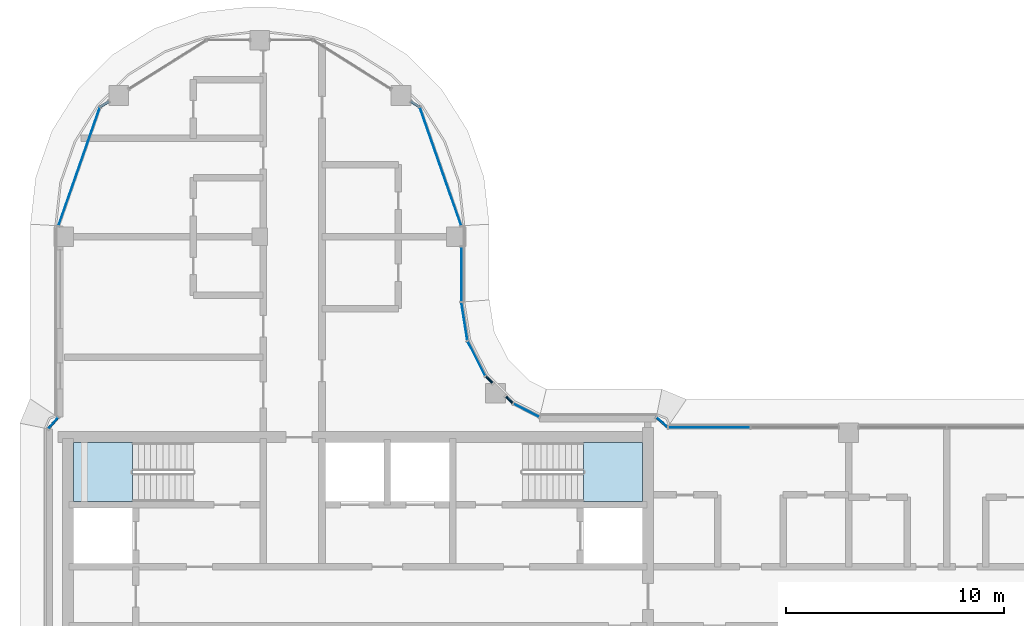
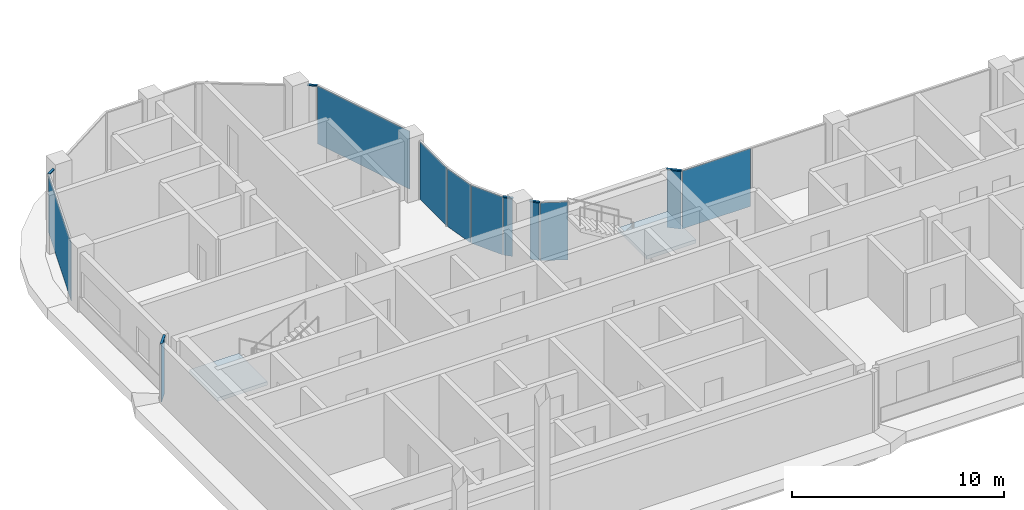
# One storey, part 7 of 20: 11 plates, 6 members, 2 slabs, 10 elements without a shape of their own.
"""IFC4 building model written with IfcOpenShell, lengths in metres."""

from ifc_helpers import new_model, si_unit, direction, frame, origin, origin_2d, place, context, subcontext, project, spatial, polyline, rectangle, outline, extrude, material, layer, layer_set, material_profile, profile_set, type_object, element, aggregate, save


model = new_model("IFC4")

# Units and contexts
model_context = context("Model", 3, precision=1e-05, world=origin(), true_north=direction((0.0, 1.0)))
body_context = subcontext(model_context, "Body", "Model", "MODEL_VIEW")
ifc_project = project(units=[si_unit("LENGTHUNIT", "METRE"), si_unit("AREAUNIT", "SQUARE_METRE"), si_unit("VOLUMEUNIT", "CUBIC_METRE"), si_unit("PLANEANGLEUNIT", "RADIAN"), si_unit("MASSUNIT", "GRAM", prefix="KILO")], contexts=[model_context])

# Site, building, storey
site_placement = place(None, origin())
site = spatial("IfcSite", under=ifc_project, at=site_placement, CompositionType="ELEMENT")
building_placement = place(site_placement, origin())
building = spatial("IfcBuilding", under=site, at=building_placement, Name="Ogive Portal Towers", CompositionType="ELEMENT")
storey_placement = place(building_placement, frame((0.0, 0.0, 214.300048828125)))
storey = spatial("IfcBuildingStorey", under=building, at=storey_placement, Name="L53", CompositionType="ELEMENT", Elevation=214.300048828125)

# Curtain wall, member
ifc_material_1 = material(Name="Glass, clear low-iron insulated glazing", Category="glass")
curtain_wall_type = type_object("IfcCurtainWallType", Name="CW FRONT RIBBON 4500", PredefinedType="NOTDEFINED", material=ifc_material_1)
curtain_wall_1_placement = place(storey_placement, origin())
curtain_wall_1 = element("IfcCurtainWall", 1, at=curtain_wall_1_placement, inside=storey, type_object=curtain_wall_type, Name="A:L53:f00:cwa", PredefinedType="NOTDEFINED")
ifc_material_2 = material(Name="Aluminium 6063 anodised", Category="aluminium")
ifc_material_profile = material_profile(ifc_material_2, rectangle(XDim=0.1201171875, YDim=0.06005859375, at=origin_2d()), Name="AL 120x60")
ifc_profile_set = profile_set([ifc_material_profile], Name="Aluminium 6063 anodised")
member_type = type_object("IfcMemberType", Name="CW TRANSOM 60x120", PredefinedType="USERDEFINED", material=ifc_profile_set)
member_1_placement = place(storey_placement, frame((59.22021484375, 39.739990234375, 3.369873046875), z_axis=(-0.753611342808, 0.657320275049, 0.0), x_axis=(-0.657320275049, -0.753611342808, 0.0)))
member_1 = element("IfcMember", 2, at=member_1_placement, type_object=member_type, Name="transom", ObjectType="TRANSOM", PredefinedType="USERDEFINED", context=body_context, shape_type="SweptSolid", body=[
    extrude(rectangle(XDim=0.1201171875, YDim=0.06005859375, at=origin_2d()), origin(), (0.0, 0.0, 1.0), 0.730224609375),
])

curtain_wall_2_placement = place(storey_placement, origin())
curtain_wall_2 = element("IfcCurtainWall", 3, at=curtain_wall_2_placement, inside=storey, type_object=curtain_wall_type, Name="A:L53:f02:cwa~0", PredefinedType="NOTDEFINED")
member_2_placement = place(storey_placement, frame((52.11376953125, 40.83935546875, 3.369873046875), z_axis=(-0.707106781187, 0.707106781187, 0.0), x_axis=(-0.707106781187, -0.707106781187, 0.0)))
member_2 = element("IfcMember", 4, at=member_2_placement, type_object=member_type, Name="transom", ObjectType="TRANSOM", PredefinedType="USERDEFINED", context=body_context, shape_type="SweptSolid", body=[
    extrude(rectangle(XDim=0.1201171875, YDim=0.06005859375, at=origin_2d()), origin(), (0.0, 0.0, 1.0), 0.500244140625),
])

curtain_wall_3_placement = place(storey_placement, origin())
curtain_wall_3 = element("IfcCurtainWall", 5, at=curtain_wall_3_placement, inside=storey, type_object=curtain_wall_type, Name="A:L53:f02:cwa~1", PredefinedType="NOTDEFINED")
member_3_placement = place(storey_placement, frame((51.193115234375, 41.760009765625, 3.369873046875), z_axis=(-0.707106781187, 0.707106781187, 0.0), x_axis=(-0.707106781187, -0.707106781187, 0.0)))
member_3 = element("IfcMember", 6, at=member_3_placement, type_object=member_type, Name="transom", ObjectType="TRANSOM", PredefinedType="USERDEFINED", context=body_context, shape_type="SweptSolid", body=[
    extrude(rectangle(XDim=0.1201171875, YDim=0.06005859375, at=origin_2d()), origin(), (0.0, 0.0, 1.0), 0.500244140625),
])

curtain_wall_4_placement = place(storey_placement, origin())
curtain_wall_4 = element("IfcCurtainWall", 7, at=curtain_wall_4_placement, inside=storey, type_object=curtain_wall_type, Name="A:L53:f07:cwa~0", PredefinedType="NOTDEFINED")
member_4_placement = place(storey_placement, frame((47.82958984375, 54.4462890625, 3.369873046875), z_axis=(-0.846767460027, 0.531963221134, 0.0), x_axis=(-0.531963221134, -0.846767460027, 0.0)))
member_4 = element("IfcMember", 8, at=member_4_placement, type_object=member_type, Name="transom", ObjectType="TRANSOM", PredefinedType="USERDEFINED", context=body_context, shape_type="SweptSolid", body=[
    extrude(rectangle(XDim=0.1201171875, YDim=0.06005859375, at=origin_2d()), origin(), (0.0, 0.0, 1.0), 0.47998046875),
])

curtain_wall_5_placement = place(storey_placement, origin())
curtain_wall_5 = element("IfcCurtainWall", 9, at=curtain_wall_5_placement, inside=storey, type_object=curtain_wall_type, Name="A:L53:f07:cwa~3", PredefinedType="NOTDEFINED")
member_5_placement = place(storey_placement, frame((33.576904296875, 54.70166015625, 3.369873046875), z_axis=(-0.846767460027, -0.531963221134, 0.0), x_axis=(0.531963221134, -0.846767460027, 0.0)))
member_5 = element("IfcMember", 10, at=member_5_placement, type_object=member_type, Name="transom", ObjectType="TRANSOM", PredefinedType="USERDEFINED", context=body_context, shape_type="SweptSolid", body=[
    extrude(rectangle(XDim=0.1201171875, YDim=0.06005859375, at=origin_2d()), origin(), (0.0, 0.0, 1.0), 0.47998046875),
])

curtain_wall_6_placement = place(storey_placement, origin())
curtain_wall_6 = element("IfcCurtainWall", 11, at=curtain_wall_6_placement, inside=storey, type_object=curtain_wall_type, Name="A:L53:f13:cwa", PredefinedType="NOTDEFINED")
member_6_placement = place(storey_placement, frame((31.260009765625, 40.22021484375, 3.369873046875), z_axis=(-0.657320275049, -0.753611342808, 0.0), x_axis=(0.753611342808, -0.657320275049, 0.0)))
member_6 = element("IfcMember", 12, at=member_6_placement, type_object=member_type, Name="transom", ObjectType="TRANSOM", PredefinedType="USERDEFINED", context=body_context, shape_type="SweptSolid", body=[
    extrude(rectangle(XDim=0.1201171875, YDim=0.06005859375, at=origin_2d()), origin(), (0.0, 0.0, 1.0), 0.730224609375),
])

# Curtain wall, plate
curtain_wall_7_placement = place(storey_placement, origin())
curtain_wall_7 = element("IfcCurtainWall", 13, at=curtain_wall_7_placement, inside=storey, type_object=curtain_wall_type, Name="A:L53:f06:cw0", PredefinedType="NOTDEFINED")
ifc_layer_1 = layer(ifc_material_1, 0.028076171875)
ifc_layer_set_1 = layer_set([ifc_layer_1], Name="CW PANEL IGU 28")
plate_type = type_object("IfcPlateType", Name="CW PANEL IGU 28", PredefinedType="CURTAIN_PANEL", material=ifc_layer_set_1)
plate_1_placement = place(storey_placement, frame((49.739990234375, 46.77197265625, 0.0), z_axis=(0.0, 0.0, 1.0), x_axis=(0.0, 1.0, 0.0)))
plate_1 = element("IfcPlate", 14, at=plate_1_placement, type_object=plate_type, Name="panel", PredefinedType="CURTAIN_PANEL", context=body_context, shape_type="SweptSolid", body=[
    extrude(rectangle(XDim=2.496337890625, YDim=0.028076171875, at=origin_2d()), origin(), (0.0, 0.0, 1.0), 3.340087890625),
])
aggregate(curtain_wall_7, [plate_1])

curtain_wall_8_placement = place(storey_placement, origin())
curtain_wall_8 = element("IfcCurtainWall", 15, at=curtain_wall_8_placement, inside=storey, type_object=curtain_wall_type, Name="A:L53:f26:cw0~3", PredefinedType="NOTDEFINED")
plate_2_placement = place(storey_placement, frame((61.110107421875, 39.739990234375, 0.0), z_axis=(0.0, 0.0, 1.0), x_axis=(-1.0, 0.0, 0.0)))
plate_2 = element("IfcPlate", 16, at=plate_2_placement, type_object=plate_type, Name="panel", PredefinedType="CURTAIN_PANEL", context=body_context, shape_type="SweptSolid", body=[
    extrude(rectangle(XDim=3.7197265625, YDim=0.028076171875, at=origin_2d()), origin(), (0.0, 0.0, 1.0), 3.340087890625),
])
aggregate(curtain_wall_8, [plate_2])

# Plate
plate_3_placement = place(storey_placement, frame((58.945068359375, 39.97998046875, 0.0), z_axis=(0.0, 0.0, 1.0), x_axis=(-0.753598923768, 0.657334513087, 0.0)))
plate_3 = element("IfcPlate", 17, at=plate_3_placement, type_object=plate_type, Name="panel", PredefinedType="CURTAIN_PANEL", context=body_context, shape_type="SweptSolid", body=[
    extrude(rectangle(XDim=0.670166015625, YDim=0.028076171875, at=origin_2d()), origin(), (0.0, 0.0, 1.0), 3.340087890625),
])

aggregate(curtain_wall_1, [member_1, plate_3])

plate_4_placement = place(storey_placement, frame((52.721435546875, 40.529541015625, 0.0), z_axis=(0.0, 0.0, 1.0), x_axis=(-0.891006524188, 0.45399049974, 0.0)))
plate_4 = element("IfcPlate", 18, at=plate_4_placement, type_object=plate_type, Name="panel", PredefinedType="CURTAIN_PANEL", context=body_context, shape_type="SweptSolid", body=[
    extrude(rectangle(XDim=1.303955078125, YDim=0.028076171875, at=origin_2d()), origin(), (0.0, 0.0, 1.0), 3.340087890625),
])

plate_5_placement = place(storey_placement, frame((51.936767578125, 41.01611328125, 0.0), z_axis=(0.0, 0.0, 1.0), x_axis=(-0.707106781187, 0.707106781187, 0.0)))
plate_5 = element("IfcPlate", 19, at=plate_5_placement, type_object=plate_type, Name="panel", PredefinedType="CURTAIN_PANEL", context=body_context, shape_type="SweptSolid", body=[
    extrude(rectangle(XDim=0.440185546875, YDim=0.028076171875, at=origin_2d()), origin(), (0.0, 0.0, 1.0), 3.340087890625),
])

aggregate(curtain_wall_2, [member_2, plate_4, plate_5])

plate_6_placement = place(storey_placement, frame((51.01611328125, 41.936767578125, 0.0), z_axis=(0.0, 0.0, 1.0), x_axis=(-0.707106781187, 0.707106781187, 0.0)))
plate_6 = element("IfcPlate", 20, at=plate_6_placement, type_object=plate_type, Name="panel", PredefinedType="CURTAIN_PANEL", context=body_context, shape_type="SweptSolid", body=[
    extrude(rectangle(XDim=0.440185546875, YDim=0.028076171875, at=origin_2d()), origin(), (0.0, 0.0, 1.0), 3.340087890625),
])

plate_7_placement = place(storey_placement, frame((50.43017578125, 42.916748046875, 0.0), z_axis=(0.0, 0.0, 1.0), x_axis=(-0.45399049974, 0.891006524188, 0.0)))
plate_7 = element("IfcPlate", 21, at=plate_7_placement, type_object=plate_type, Name="panel", PredefinedType="CURTAIN_PANEL", context=body_context, shape_type="SweptSolid", body=[
    extrude(rectangle(XDim=1.742431640625, YDim=0.028076171875, at=origin_2d()), origin(), (0.0, 0.0, 1.0), 3.340087890625),
])

plate_8_placement = place(storey_placement, frame((49.88037109375, 44.606689453125, 0.0), z_axis=(0.0, 0.0, 1.0), x_axis=(-0.15643446504, 0.987688340595, 0.0)))
plate_8 = element("IfcPlate", 22, at=plate_8_placement, type_object=plate_type, Name="panel", PredefinedType="CURTAIN_PANEL", context=body_context, shape_type="SweptSolid", body=[
    extrude(rectangle(XDim=1.736083984375, YDim=0.028076171875, at=origin_2d()), origin(), (0.0, 0.0, 1.0), 3.340087890625),
])

aggregate(curtain_wall_3, [member_3, plate_6, plate_7, plate_8])

plate_9_placement = place(storey_placement, frame((48.78466796875, 51.71630859375, 0.0), z_axis=(0.0, 0.0, 1.0), x_axis=(-0.33027906196, 0.943883330307, 0.0)))
plate_9 = element("IfcPlate", 23, at=plate_9_placement, type_object=plate_type, Name="panel", PredefinedType="CURTAIN_PANEL", context=body_context, shape_type="SweptSolid", body=[
    extrude(rectangle(XDim=5.724609375, YDim=0.028076171875, at=origin_2d()), origin(), (0.0, 0.0, 1.0), 3.340087890625),
])

aggregate(curtain_wall_4, [member_4, plate_9])

plate_10_placement = place(storey_placement, frame((32.21533203125, 51.71630859375, 0.0), z_axis=(0.0, 0.0, 1.0), x_axis=(-0.33027906196, -0.943883330307, 0.0)))
plate_10 = element("IfcPlate", 24, at=plate_10_placement, type_object=plate_type, Name="panel", PredefinedType="CURTAIN_PANEL", context=body_context, shape_type="SweptSolid", body=[
    extrude(rectangle(XDim=5.724609375, YDim=0.028076171875, at=origin_2d()), origin(), (0.0, 0.0, 1.0), 3.340087890625),
])

aggregate(curtain_wall_5, [member_5, plate_10])

plate_11_placement = place(storey_placement, frame((31.02001953125, 39.945068359375, 0.0), z_axis=(0.0, 0.0, 1.0), x_axis=(-0.657334513087, -0.753598923768, 0.0)))
plate_11 = element("IfcPlate", 25, at=plate_11_placement, type_object=plate_type, Name="panel", PredefinedType="CURTAIN_PANEL", context=body_context, shape_type="SweptSolid", body=[
    extrude(rectangle(XDim=0.670166015625, YDim=0.028076171875, at=origin_2d()), origin(), (0.0, 0.0, 1.0), 3.340087890625),
])

aggregate(curtain_wall_6, [member_6, plate_11])

# Stair, slab
ifc_material_3 = material(Name="Concrete C40/50", Category="concrete")
stair_type = type_object("IfcStairType", Name="INT-STAIR", PredefinedType="HALF_TURN_STAIR", material=ifc_material_3)
stair_1_placement = place(storey_placement, origin())
stair_1 = element("IfcStair", 26, at=stair_1_placement, inside=storey, type_object=stair_type, Name="L53 Exit Stair ST-A1", PredefinedType="HALF_TURN_STAIR")
ifc_layer_2 = layer(ifc_material_3, 0.199951171875)
ifc_layer_set_2 = layer_set([ifc_layer_2], Name="INT-LANDING")
slab_type = type_object("IfcSlabType", Name="INT-LANDING", PredefinedType="LANDING", material=ifc_layer_set_2)
slab_1_placement = place(storey_placement, frame((0.0, 0.0, 1.64990234375)))
slab_1 = element("IfcSlab", 27, at=slab_1_placement, type_object=slab_type, Name="ST-A1 landing 1", PredefinedType="LANDING", context=body_context, shape_type="SweptSolid", body=[
    extrude(outline(polyline([(34.64990234375, 39.050048828125), (31.949951171875, 39.050048828125), (31.949951171875, 36.35009765625), (34.64990234375, 36.35009765625), (34.64990234375, 39.050048828125)])), origin(), (0.0, 0.0, 1.0), 0.199951171875),
])
aggregate(stair_1, [slab_1])

stair_2_placement = place(storey_placement, origin())
stair_2 = element("IfcStair", 28, at=stair_2_placement, inside=storey, type_object=stair_type, Name="L53 Exit Stair ST-A2", PredefinedType="HALF_TURN_STAIR")
slab_2_placement = place(storey_placement, frame((0.0, 0.0, 1.64990234375)))
slab_2 = element("IfcSlab", 29, at=slab_2_placement, type_object=slab_type, Name="ST-A2 landing 1", PredefinedType="LANDING", context=body_context, shape_type="SweptSolid", body=[
    extrude(outline(polyline([(55.35009765625, 36.35009765625), (58.050048828125, 36.35009765625), (58.050048828125, 39.050048828125), (55.35009765625, 39.050048828125), (55.35009765625, 36.35009765625)])), origin(), (0.0, 0.0, 1.0), 0.199951171875),
])
aggregate(stair_2, [slab_2])

save(model, "model.ifc")
